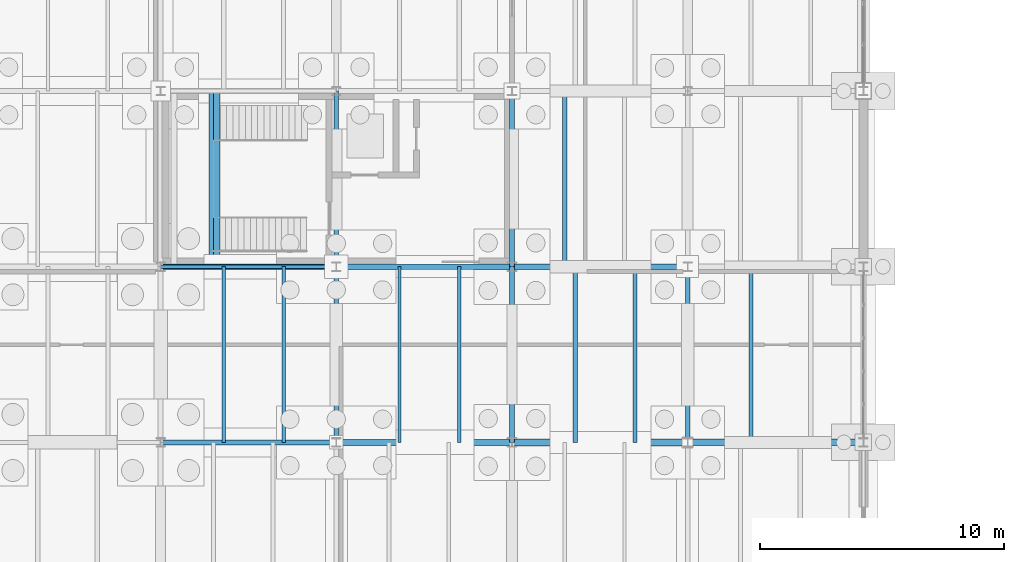
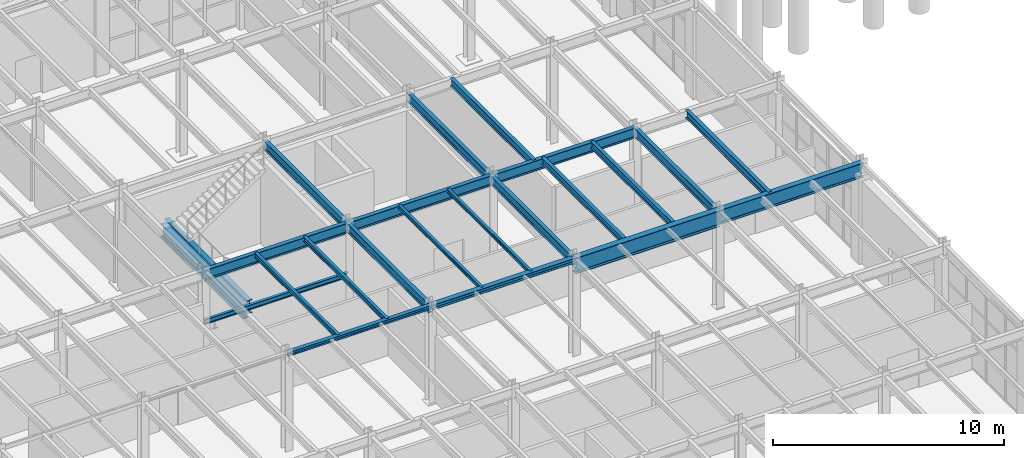
# One storey, part 68 of 293: 23 beams.
"""IFC4 building model written with IfcOpenShell, lengths in metres."""

from ifc_helpers import new_model, si_unit, direction, frame, origin, origin_2d, place, context, subcontext, project, spatial, i_section, extrude, material, material_profile, profile_set, type_object, element, save


model = new_model("IFC4")

# Units and contexts
model_context = context("Model", 3, precision=1e-05, world=origin(), true_north=direction((0.0, 1.0)))
body_context = subcontext(model_context, "Body", "Model", "MODEL_VIEW")
ifc_project = project(units=[si_unit("LENGTHUNIT", "METRE"), si_unit("AREAUNIT", "SQUARE_METRE"), si_unit("VOLUMEUNIT", "CUBIC_METRE"), si_unit("PLANEANGLEUNIT", "RADIAN"), si_unit("MASSUNIT", "GRAM", prefix="KILO")], contexts=[model_context])

# Site, building, storey
site_placement = place(None, origin())
site = spatial("IfcSite", under=ifc_project, at=site_placement, CompositionType="ELEMENT")
building_placement = place(site_placement, origin())
building = spatial("IfcBuilding", under=site, at=building_placement, Name="Kemerveld Promenade Tramway Depot", CompositionType="ELEMENT")
storey_placement = place(building_placement, origin())
storey = spatial("IfcBuildingStorey", under=building, at=storey_placement, Name="L00", CompositionType="ELEMENT", Elevation=0.0)

# Beams
ifc_material = material(Name="Steel S355", Category="steel")
ifc_material_profile_1 = material_profile(ifc_material, i_section(OverallWidth=0.293701171875, OverallDepth=0.850830078125, WebThickness=0.01611328125, FlangeThickness=0.02685546875, FilletRadius=0.017822265625, at=origin_2d()), Name="838x292x226 UB")
ifc_profile_set_1 = profile_set([ifc_material_profile_1], Name="Steel S355")
beam_type_1 = type_object("IfcBeamType", Name="BM-G01", PredefinedType="BEAM", material=ifc_profile_set_1)
beam_1_placement = place(storey_placement, frame((43.199951171875, 50.39990234375, 4.724609375), z_axis=(1.0, 0.0, 0.0), x_axis=(0.0, 1.0, 0.0)))
element("IfcBeam", 1, at=beam_1_placement, inside=storey, type_object=beam_type_1, Name="BMX-L00-07-08-H", PredefinedType="BEAM", context=body_context, shape_type="SweptSolid", body=[
    extrude(i_section(OverallWidth=0.293701171875, OverallDepth=0.850830078125, WebThickness=0.01611328125, FlangeThickness=0.02685546875, FilletRadius=0.017822265625, at=origin_2d()), origin(), (0.0, 0.0, 1.0), 7.199951171875),
])
ifc_material_profile_2 = material_profile(ifc_material, i_section(OverallWidth=0.2666015625, OverallDepth=0.76220703125, WebThickness=0.014404296875, FlangeThickness=0.021484375, FilletRadius=0.0166015625, at=origin_2d()), Name="762x267x173 UB")
ifc_profile_set_2 = profile_set([ifc_material_profile_2], Name="Steel S355")
beam_type_2 = type_object("IfcBeamType", Name="BM-G02", PredefinedType="BEAM", material=ifc_profile_set_2)
beam_2_placement = place(storey_placement, frame((50.39990234375, 50.39990234375, 4.768798828125), z_axis=(1.0, 0.0, 0.0), x_axis=(0.0, 1.0, 0.0)))
element("IfcBeam", 2, at=beam_2_placement, inside=storey, type_object=beam_type_2, Name="BMX-L00-08-09-H", PredefinedType="BEAM", context=body_context, shape_type="SweptSolid", body=[
    extrude(i_section(OverallWidth=0.2666015625, OverallDepth=0.76220703125, WebThickness=0.014404296875, FlangeThickness=0.021484375, FilletRadius=0.0166015625, at=origin_2d()), origin(), (0.0, 0.0, 1.0), 7.2001953125),
])
ifc_material_profile_3 = material_profile(ifc_material, i_section(OverallWidth=0.25439453125, OverallDepth=0.6875, WebThickness=0.01318359375, FlangeThickness=0.02099609375, FilletRadius=0.01513671875, at=origin_2d()), Name="686x254x152 UB")
ifc_profile_set_3 = profile_set([ifc_material_profile_3], Name="Steel S355")
beam_type_3 = type_object("IfcBeamType", Name="BM-G03", PredefinedType="BEAM", material=ifc_profile_set_3)
for number, where, z_axis, x_axis, name in (
    (3, (30.909912109375, 57.60009765625, 2.15625), (0.0, 1.0, 0.0), (-1.0, 0.0, 0.0), "BM-HL-ST-03-L00-M"),
    (4, (31.10009765625, 57.60009765625, 2.356201171875), (0.0, 1.0, 0.0), (-1.0, 0.0, 0.0), "BM-HL-ST-03-L00-F2"),
):
    element("IfcBeam", number, at=place(storey_placement, frame(where, z_axis=z_axis, x_axis=x_axis)), inside=storey, type_object=beam_type_3, Name=name, PredefinedType="BEAM", context=body_context, shape_type="SweptSolid", body=[
        extrude(i_section(OverallWidth=0.25439453125, OverallDepth=0.6875, WebThickness=0.01318359375, FlangeThickness=0.02099609375, FilletRadius=0.01513671875, at=origin_2d()), origin(), (0.0, 0.0, 1.0), 7.199951171875),
    ])
ifc_material_profile_4 = material_profile(ifc_material, i_section(OverallWidth=0.2099609375, OverallDepth=0.53662109375, WebThickness=0.0107421875, FlangeThickness=0.017333984375, FilletRadius=0.0126953125, at=origin_2d()), Name="533x210x101 UB")
ifc_profile_set_4 = profile_set([ifc_material_profile_4], Name="Steel S355")
beam_type_4 = type_object("IfcBeamType", Name="BM-G05", PredefinedType="BEAM", material=ifc_profile_set_4)
for number, where, z_axis, x_axis, name in (
    (5, (28.800048828125, 57.60009765625, 4.881591796875), (1.0, 0.0, 0.0), (0.0, 1.0, 0.0), "BMX-L00-05-06-J"),
    (6, (36.0, 57.60009765625, 4.881591796875), (1.0, 0.0, 0.0), (0.0, 1.0, 0.0), "BMX-L00-06-07-J"),
    (7, (43.199951171875, 57.60009765625, 4.881591796875), (1.0, 0.0, 0.0), (0.0, 1.0, 0.0), "BMX-L00-07-08-J"),
):
    element("IfcBeam", number, at=place(storey_placement, frame(where, z_axis=z_axis, x_axis=x_axis)), inside=storey, type_object=beam_type_4, Name=name, PredefinedType="BEAM", context=body_context, shape_type="SweptSolid", body=[
        extrude(i_section(OverallWidth=0.2099609375, OverallDepth=0.53662109375, WebThickness=0.0107421875, FlangeThickness=0.017333984375, FilletRadius=0.0126953125, at=origin_2d()), origin(), (0.0, 0.0, 1.0), 7.199951171875),
    ])
ifc_material_profile_5 = material_profile(ifc_material, i_section(OverallWidth=0.19140625, OverallDepth=0.4599609375, WebThickness=0.010009765625, FlangeThickness=0.01611328125, FilletRadius=0.01025390625, at=origin_2d()), Name="457x191x82 UB")
ifc_profile_set_5 = profile_set([ifc_material_profile_5], Name="Steel S355")
beam_type_5 = type_object("IfcBeamType", Name="BM-G06", PredefinedType="BEAM", material=ifc_profile_set_5)
beam_3_placement = place(storey_placement, frame((36.0, 50.39990234375, 4.919921875), z_axis=(0.0, 1.0, 0.0), x_axis=(-1.0, 0.0, 0.0)))
element("IfcBeam", 8, at=beam_3_placement, inside=storey, type_object=beam_type_5, Name="BMY-L00-06-H-J", PredefinedType="BEAM", context=body_context, shape_type="SweptSolid", body=[
    extrude(i_section(OverallWidth=0.19140625, OverallDepth=0.4599609375, WebThickness=0.010009765625, FlangeThickness=0.01611328125, FilletRadius=0.01025390625, at=origin_2d()), origin(), (0.0, 0.0, 1.0), 7.2001953125),
])
beam_4_placement = place(storey_placement, frame((36.0, 57.60009765625, 4.919921875), z_axis=(0.0, 1.0, 0.0), x_axis=(-1.0, 0.0, 0.0)))
element("IfcBeam", 9, at=beam_4_placement, inside=storey, type_object=beam_type_5, Name="BMY-L00-06-J-K", PredefinedType="BEAM", context=body_context, shape_type="SweptSolid", body=[
    extrude(i_section(OverallWidth=0.19140625, OverallDepth=0.4599609375, WebThickness=0.010009765625, FlangeThickness=0.01611328125, FilletRadius=0.01025390625, at=origin_2d()), origin(), (0.0, 0.0, 1.0), 7.199951171875),
])
beam_5_placement = place(storey_placement, frame((43.199951171875, 50.39990234375, 4.919921875), z_axis=(0.0, 1.0, 0.0), x_axis=(-1.0, 0.0, 0.0)))
element("IfcBeam", 10, at=beam_5_placement, inside=storey, type_object=beam_type_5, Name="BMY-L00-07-H-J", PredefinedType="BEAM", context=body_context, shape_type="SweptSolid", body=[
    extrude(i_section(OverallWidth=0.19140625, OverallDepth=0.4599609375, WebThickness=0.010009765625, FlangeThickness=0.01611328125, FilletRadius=0.01025390625, at=origin_2d()), origin(), (0.0, 0.0, 1.0), 7.2001953125),
])
beam_6_placement = place(storey_placement, frame((43.199951171875, 57.60009765625, 4.919921875), z_axis=(0.0, 1.0, 0.0), x_axis=(-1.0, 0.0, 0.0)))
element("IfcBeam", 11, at=beam_6_placement, inside=storey, type_object=beam_type_5, Name="BMY-L00-07-J-K", PredefinedType="BEAM", context=body_context, shape_type="SweptSolid", body=[
    extrude(i_section(OverallWidth=0.19140625, OverallDepth=0.4599609375, WebThickness=0.010009765625, FlangeThickness=0.01611328125, FilletRadius=0.01025390625, at=origin_2d()), origin(), (0.0, 0.0, 1.0), 7.199951171875),
])
beam_7_placement = place(storey_placement, frame((50.39990234375, 50.39990234375, 4.919921875), z_axis=(0.0, 1.0, 0.0), x_axis=(-1.0, 0.0, 0.0)))
element("IfcBeam", 12, at=beam_7_placement, inside=storey, type_object=beam_type_5, Name="BMY-L00-08-H-J", PredefinedType="BEAM", context=body_context, shape_type="SweptSolid", body=[
    extrude(i_section(OverallWidth=0.19140625, OverallDepth=0.4599609375, WebThickness=0.010009765625, FlangeThickness=0.01611328125, FilletRadius=0.01025390625, at=origin_2d()), origin(), (0.0, 0.0, 1.0), 7.2001953125),
])
ifc_material_profile_6 = material_profile(ifc_material, i_section(OverallWidth=0.146484375, OverallDepth=0.256103515625, WebThickness=0.00634765625, FlangeThickness=0.010986328125, FilletRadius=0.007568359375, at=origin_2d()), Name="254x146x37 UB")
ifc_profile_set_6 = profile_set([ifc_material_profile_6], Name="Steel S355")
beam_type_6 = type_object("IfcBeamType", Name="BM-J02", PredefinedType="JOIST", material=ifc_profile_set_6)
for number, where, z_axis, x_axis, name in (
    (13, (31.39208984375, 50.39990234375, 5.02197265625), (0.0, 1.0, 0.0), (-1.0, 0.0, 0.0), "JST-L00-05-H-1"),
    (14, (33.840087890625, 50.39990234375, 5.02197265625), (0.0, 1.0, 0.0), (-1.0, 0.0, 0.0), "JST-L00-05-H-2"),
):
    element("IfcBeam", number, at=place(storey_placement, frame(where, z_axis=z_axis, x_axis=x_axis)), inside=storey, type_object=beam_type_6, Name=name, PredefinedType="JOIST", context=body_context, shape_type="SweptSolid", body=[
        extrude(i_section(OverallWidth=0.146484375, OverallDepth=0.256103515625, WebThickness=0.00634765625, FlangeThickness=0.010986328125, FilletRadius=0.007568359375, at=origin_2d()), origin(), (0.0, 0.0, 1.0), 7.2001953125),
    ])
beam_8_placement = place(storey_placement, frame((28.800048828125, 57.60009765625, 2.3720703125), z_axis=(1.0, 0.0, 0.0), x_axis=(0.0, 1.0, 0.0)))
element("IfcBeam", 15, at=beam_8_placement, inside=storey, type_object=beam_type_6, Name="BM-HLY-ST-03-L00-S", PredefinedType="JOIST", context=body_context, shape_type="SweptSolid", body=[
    extrude(i_section(OverallWidth=0.146484375, OverallDepth=0.256103515625, WebThickness=0.00634765625, FlangeThickness=0.010986328125, FilletRadius=0.007568359375, at=origin_2d()), origin(), (0.0, 0.0, 1.0), 7.199951171875),
])
ifc_material_profile_7 = material_profile(ifc_material, i_section(OverallWidth=0.13330078125, OverallDepth=0.203125, WebThickness=0.005615234375, FlangeThickness=0.0078125, FilletRadius=0.007568359375, at=origin_2d()), Name="203x133x25 UB")
ifc_profile_set_7 = profile_set([ifc_material_profile_7], Name="Steel S355")
beam_type_7 = type_object("IfcBeamType", Name="BM-J03", PredefinedType="JOIST", material=ifc_profile_set_7)
for number, where, z_axis, x_axis, name in (
    (16, (38.592041015625, 50.39990234375, 5.04833984375), (0.0, 1.0, 0.0), (-1.0, 0.0, 0.0), "JST-L00-06-H-1"),
    (17, (41.0400390625, 50.39990234375, 5.04833984375), (0.0, 1.0, 0.0), (-1.0, 0.0, 0.0), "JST-L00-06-H-2"),
):
    element("IfcBeam", number, at=place(storey_placement, frame(where, z_axis=z_axis, x_axis=x_axis)), inside=storey, type_object=beam_type_7, Name=name, PredefinedType="JOIST", context=body_context, shape_type="SweptSolid", body=[
        extrude(i_section(OverallWidth=0.13330078125, OverallDepth=0.203125, WebThickness=0.005615234375, FlangeThickness=0.0078125, FilletRadius=0.007568359375, at=origin_2d()), origin(), (0.0, 0.0, 1.0), 7.2001953125),
    ])
ifc_material_profile_8 = material_profile(ifc_material, i_section(OverallWidth=0.172119140625, OverallDepth=0.35791015625, WebThickness=0.008056640625, FlangeThickness=0.012939453125, FilletRadius=0.01025390625, at=origin_2d()), Name="356x171x57 UB")
ifc_profile_set_8 = profile_set([ifc_material_profile_8], Name="Steel S355")
beam_type_8 = type_object("IfcBeamType", Name="BM-J04", PredefinedType="JOIST", material=ifc_profile_set_8)
for number, where, z_axis, x_axis, name in (
    (18, (45.7919921875, 50.39990234375, 4.970947265625), (0.0, 1.0, 0.0), (-1.0, 0.0, 0.0), "JST-L00-07-H-1"),
    (19, (48.239990234375, 50.39990234375, 4.970947265625), (0.0, 1.0, 0.0), (-1.0, 0.0, 0.0), "JST-L00-07-H-2"),
):
    element("IfcBeam", number, at=place(storey_placement, frame(where, z_axis=z_axis, x_axis=x_axis)), inside=storey, type_object=beam_type_8, Name=name, PredefinedType="JOIST", context=body_context, shape_type="SweptSolid", body=[
        extrude(i_section(OverallWidth=0.172119140625, OverallDepth=0.35791015625, WebThickness=0.008056640625, FlangeThickness=0.012939453125, FilletRadius=0.01025390625, at=origin_2d()), origin(), (0.0, 0.0, 1.0), 7.2001953125),
    ])
ifc_material_profile_9 = material_profile(ifc_material, i_section(OverallWidth=0.1787109375, OverallDepth=0.409423828125, WebThickness=0.0087890625, FlangeThickness=0.014404296875, FilletRadius=0.01025390625, at=origin_2d()), Name="406x178x67 UB")
ifc_profile_set_9 = profile_set([ifc_material_profile_9], Name="Steel S355")
beam_type_9 = type_object("IfcBeamType", Name="BM-J05", PredefinedType="JOIST", material=ifc_profile_set_9)
beam_9_placement = place(storey_placement, frame((45.360107421875, 57.60009765625, 4.9453125), z_axis=(0.0, 1.0, 0.0), x_axis=(-1.0, 0.0, 0.0)))
element("IfcBeam", 20, at=beam_9_placement, inside=storey, type_object=beam_type_9, Name="JST-L00-07-J-1", PredefinedType="JOIST", context=body_context, shape_type="SweptSolid", body=[
    extrude(i_section(OverallWidth=0.1787109375, OverallDepth=0.409423828125, WebThickness=0.0087890625, FlangeThickness=0.014404296875, FilletRadius=0.01025390625, at=origin_2d()), origin(), (0.0, 0.0, 1.0), 7.199951171875),
])
beam_10_placement = place(storey_placement, frame((52.991943359375, 50.39990234375, 4.9453125), z_axis=(0.0, 1.0, 0.0), x_axis=(-1.0, 0.0, 0.0)))
element("IfcBeam", 21, at=beam_10_placement, inside=storey, type_object=beam_type_9, Name="JST-L00-08-H-1", PredefinedType="JOIST", context=body_context, shape_type="SweptSolid", body=[
    extrude(i_section(OverallWidth=0.1787109375, OverallDepth=0.409423828125, WebThickness=0.0087890625, FlangeThickness=0.014404296875, FilletRadius=0.01025390625, at=origin_2d()), origin(), (0.0, 0.0, 1.0), 7.2001953125),
])
ifc_material_profile_10 = material_profile(ifc_material, i_section(OverallWidth=0.205810546875, OverallDepth=0.209716796875, WebThickness=0.009521484375, FlangeThickness=0.01416015625, FilletRadius=0.01025390625, at=origin_2d()), Name="203x203x60 UC")
ifc_profile_set_10 = profile_set([ifc_material_profile_10], Name="Steel S355")
beam_type_10 = type_object("IfcBeamType", Name="BM-LN3", PredefinedType="LINTEL", material=ifc_profile_set_10)
beam_11_placement = place(storey_placement, frame((28.800048828125, 50.39990234375, 5.045166015625), z_axis=(1.0, 0.0, 0.0), x_axis=(0.0, 1.0, 0.0)))
element("IfcBeam", 22, at=beam_11_placement, inside=storey, type_object=beam_type_10, Name="BMX-L00-05-06-H", PredefinedType="LINTEL", context=body_context, shape_type="SweptSolid", body=[
    extrude(i_section(OverallWidth=0.205810546875, OverallDepth=0.209716796875, WebThickness=0.009521484375, FlangeThickness=0.01416015625, FilletRadius=0.01025390625, at=origin_2d()), origin(), (0.0, 0.0, 1.0), 7.199951171875),
])
ifc_material_profile_11 = material_profile(ifc_material, i_section(OverallWidth=0.25634765625, OverallDepth=0.26025390625, WebThickness=0.01025390625, FlangeThickness=0.017333984375, FilletRadius=0.0126953125, at=origin_2d()), Name="254x254x89 UC")
ifc_profile_set_11 = profile_set([ifc_material_profile_11], Name="Steel S355")
beam_type_11 = type_object("IfcBeamType", Name="BM-LN4", PredefinedType="LINTEL", material=ifc_profile_set_11)
beam_12_placement = place(storey_placement, frame((36.0, 50.39990234375, 5.019775390625), z_axis=(1.0, 0.0, 0.0), x_axis=(0.0, 1.0, 0.0)))
element("IfcBeam", 23, at=beam_12_placement, inside=storey, type_object=beam_type_11, Name="BMX-L00-06-07-H", PredefinedType="LINTEL", context=body_context, shape_type="SweptSolid", body=[
    extrude(i_section(OverallWidth=0.25634765625, OverallDepth=0.26025390625, WebThickness=0.01025390625, FlangeThickness=0.017333984375, FilletRadius=0.0126953125, at=origin_2d()), origin(), (0.0, 0.0, 1.0), 7.199951171875),
])

save(model, "model.ifc")
